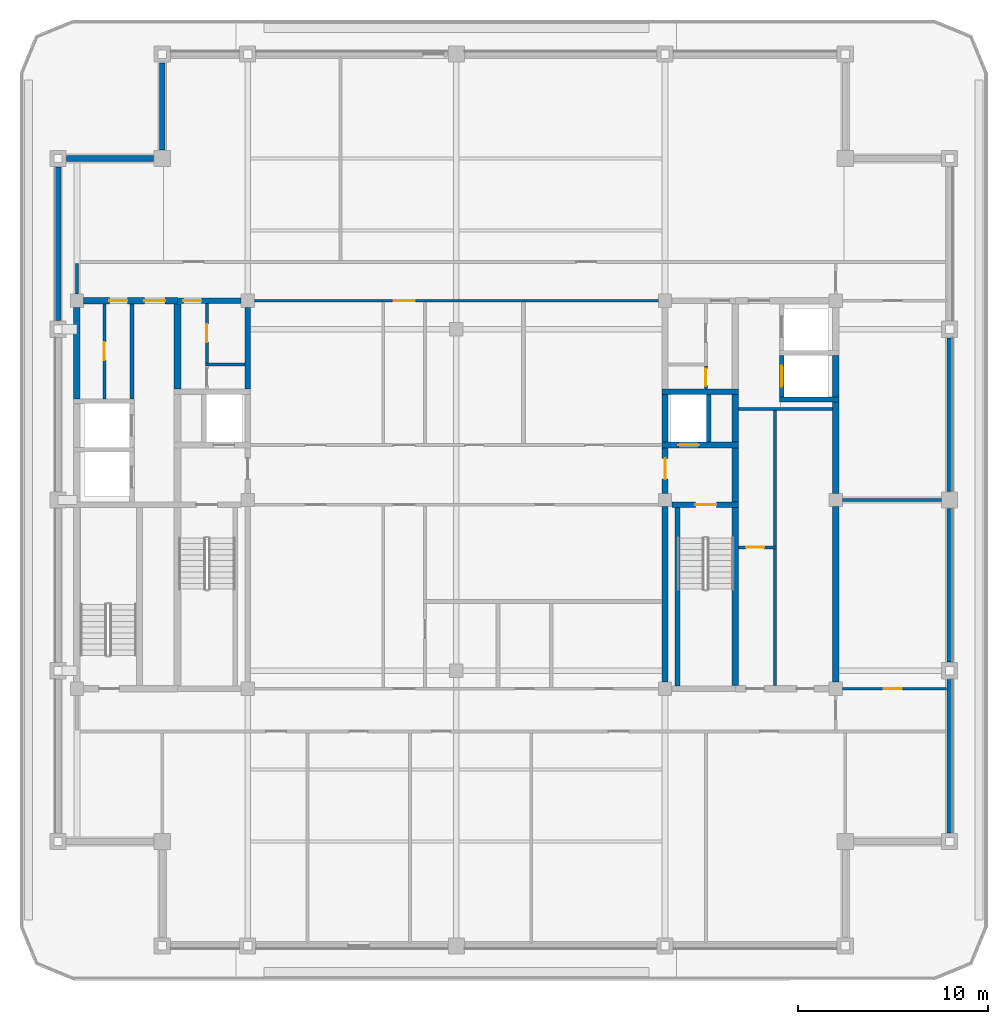
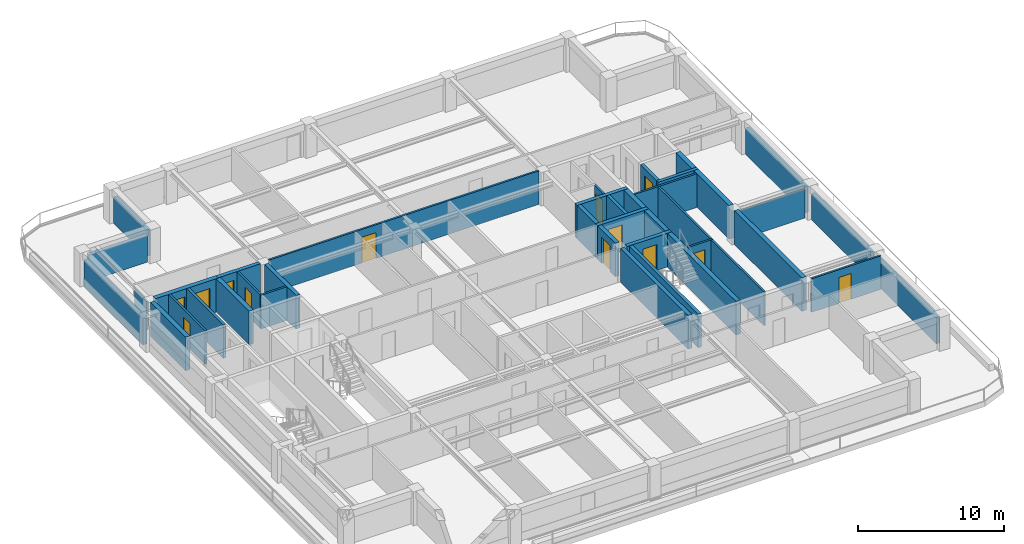
# One storey, part 4 of 10: 40 walls, 13 doors, 13 openings.
"""IFC4 building model written with IfcOpenShell, lengths in metres."""

from ifc_helpers import new_model, si_unit, direction, frame, frame_2d, origin, place, context, subcontext, project, spatial, rectangle, extrude, material, layer, layer_set, type_object, element, fill, save


model = new_model("IFC4")

# Units and contexts
model_context = context("Model", 3, precision=1e-05, world=origin(), true_north=direction((0.0, 1.0)))
body_context = subcontext(model_context, "Body", "Model", "MODEL_VIEW")
ifc_project = project(units=[si_unit("LENGTHUNIT", "METRE"), si_unit("AREAUNIT", "SQUARE_METRE"), si_unit("VOLUMEUNIT", "CUBIC_METRE"), si_unit("PLANEANGLEUNIT", "RADIAN"), si_unit("MASSUNIT", "GRAM", prefix="KILO")], contexts=[model_context])

# Site, building, storey
site_placement = place(None, origin())
site = spatial("IfcSite", under=ifc_project, at=site_placement, CompositionType="ELEMENT")
building_placement = place(site_placement, origin())
building = spatial("IfcBuilding", under=site, at=building_placement, Name="Zulmaris Gate Convention Tower", CompositionType="ELEMENT")
storey_placement = place(building_placement, frame((0.0, 0.0, 246.199951171875)))
storey = spatial("IfcBuildingStorey", under=building, at=storey_placement, Name="L65", CompositionType="ELEMENT", Elevation=246.199951171875)

# Walls
ifc_material_1 = material(Name="Concrete C50/60", Category="concrete")
ifc_layer_1 = layer(ifc_material_1, 0.25, Name="Concrete C50/60")
ifc_layer_set_1 = layer_set([ifc_layer_1], Name="Concrete C50/60")
wall_type_1 = type_object("IfcWallType", Name="CORE-250", PredefinedType="SOLIDWALL", material=ifc_layer_set_1)
wall_1_placement = place(storey_placement, frame((17.02490234375, 5.300048828125, 0.0), z_axis=(0.0, 0.0, 1.0), x_axis=(1.0, 0.0, 0.0)))
element("IfcWall", 1, at=wall_1_placement, inside=storey, type_object=wall_type_1, Name="WL-L65-011", PredefinedType="SOLIDWALL", context=body_context, shape_type="SweptSolid", body=[
    extrude(rectangle(XDim=3.150146484375, YDim=0.25, at=frame_2d((1.5751953125, 0.0))), origin(), (0.0, 0.0, 1.0), 2.804931640625),
])
wall_2_placement = place(storey_placement, frame((11.64990234375, -9.798095703125, 0.0), z_axis=(0.0, 0.0, 1.0), x_axis=(0.0, 1.0, 0.0)))
element("IfcWall", 2, at=wall_2_placement, inside=storey, type_object=wall_type_1, Name="WL-L65-054", PredefinedType="SOLIDWALL", context=body_context, shape_type="SweptSolid", body=[
    extrude(rectangle(XDim=9.39599609375, YDim=0.25, at=frame_2d((4.697998046875, 0.0))), origin(), (0.0, 0.0, 1.0), 2.804931640625),
])
wall_3_placement = place(storey_placement, frame((13.300048828125, 3.052001953125, 0.0), z_axis=(0.0, 0.0, 1.0), x_axis=(0.0, 1.0, 0.0)))
element("IfcWall", 3, at=wall_3_placement, inside=storey, type_object=wall_type_1, Name="WL-L65-055", PredefinedType="SOLIDWALL", context=body_context, shape_type="SweptSolid", body=[
    extrude(rectangle(XDim=2.49609375, YDim=0.25, at=frame_2d((1.248046875, 0.0))), origin(), (0.0, 0.0, 1.0), 2.804931640625),
])

# Wall, opening, door
wall_4_placement = place(storey_placement, frame((17.14990234375, 5.427001953125, 0.0), z_axis=(0.0, 0.0, 1.0), x_axis=(0.0, 1.0, 0.0)))
wall_4 = element("IfcWall", 4, at=wall_4_placement, inside=storey, type_object=wall_type_1, Name="WL-L65-060", PredefinedType="SOLIDWALL", context=body_context, shape_type="SweptSolid", body=[
    extrude(rectangle(XDim=2.196044921875, YDim=0.25, at=frame_2d((1.09814453125, 0.0))), origin(), (0.0, 0.0, 1.0), 2.804931640625),
])
opening_1_placement = place(wall_4_placement, frame((0.548095703125, 0.0, 0.0)))
opening_1 = element("IfcOpeningElement", 5, at=opening_1_placement, cuts=wall_4, Name="Opening D-06", PredefinedType="OPENING", context=body_context, shape_type="SweptSolid", body=[
    extrude(rectangle(XDim=1.10009765625, YDim=2.199951171875, at=frame_2d((0.550048828125, 1.10009765625))), frame((0.0, 0.135009765625, 0.0), z_axis=(0.0, -1.0, 0.0), x_axis=(1.0, 0.0, 0.0)), (0.0, 0.0, 1.0), 0.27001953125),
])
ifc_material_2 = material(Name="Brushed Stainless Steel", Category="steel")
door_type_1 = type_object("IfcDoorType", Name="LD-1100", OperationType="NOTDEFINED", PredefinedType="DOOR", material=ifc_material_2)
door_1_placement = place(opening_1_placement, origin())
door_1 = element("IfcDoor", 6, at=door_1_placement, inside=storey, type_object=door_type_1, Name="L65 Lift Landing Door HP-01 19", OperationType="SLIDING_TO_RIGHT", OverallHeight=2.199951171875, OverallWidth=1.10009765625, PredefinedType="DOOR", context=body_context, shape_type="SweptSolid", body=[
    extrude(rectangle(XDim=1.10009765625, YDim=2.199951171875, at=frame_2d((0.550048828125, 1.10009765625))), frame((0.0, 0.02490234375, 0.0), z_axis=(0.0, -1.0, 0.0), x_axis=(1.0, 0.0, 0.0)), (0.0, 0.0, 1.0), 0.050048828125),
])
fill(opening_1, door_1)

ifc_layer_2 = layer(ifc_material_1, 0.300048828125, Name="Concrete C50/60")
ifc_layer_set_2 = layer_set([ifc_layer_2], Name="Concrete C50/60")
wall_type_2 = type_object("IfcWallType", Name="CORE-300", PredefinedType="SHEAR", material=ifc_layer_set_2)
wall_5_placement = place(storey_placement, frame((11.35400390625, -0.25, 0.0), z_axis=(0.0, 0.0, 1.0), x_axis=(1.0, 0.0, 0.0)))
wall_5 = element("IfcWall", 7, at=wall_5_placement, inside=storey, type_object=wall_type_2, Name="WL-L65-006", PredefinedType="SHEAR", context=body_context, shape_type="SweptSolid", body=[
    extrude(rectangle(XDim=3.52099609375, YDim=0.300048828125, at=frame_2d((1.760498046875, 0.0))), origin(), (0.0, 0.0, 1.0), 2.804931640625),
])
opening_2_placement = place(wall_5_placement, frame((1.24609375, 0.0, 0.0)))
opening_2 = element("IfcOpeningElement", 8, at=opening_2_placement, cuts=wall_5, Name="Opening D-08", PredefinedType="OPENING", context=body_context, shape_type="SweptSolid", body=[
    extrude(rectangle(XDim=1.10009765625, YDim=2.14990234375, at=frame_2d((0.550048828125, 1.074951171875))), frame((0.0, 0.16015625, 0.0), z_axis=(0.0, -1.0, 0.0), x_axis=(1.0, 0.0, 0.0)), (0.0, 0.0, 1.0), 0.320068359375),
])
ifc_material_3 = material(Name="Fire-Rated Steel", Category="steel")
door_type_2 = type_object("IfcDoorType", Name="DR-1100-FD", OperationType="NOTDEFINED", PredefinedType="DOOR", material=ifc_material_3)
door_2_placement = place(opening_2_placement, origin())
door_2 = element("IfcDoor", 9, at=door_2_placement, inside=storey, type_object=door_type_2, Name="L65 Exit Stair ST-2 Door 04", OperationType="SINGLE_SWING_RIGHT", OverallHeight=2.14990234375, OverallWidth=1.10009765625, PredefinedType="DOOR", context=body_context, shape_type="SweptSolid", body=[
    extrude(rectangle(XDim=1.10009765625, YDim=2.14990234375, at=frame_2d((0.550048828125, 1.074951171875))), frame((0.0, 0.02490234375, 0.0), z_axis=(0.0, -1.0, 0.0), x_axis=(1.0, 0.0, 0.0)), (0.0, 0.0, 1.0), 0.050048828125),
])
fill(opening_2, door_2)

wall_6_placement = place(storey_placement, frame((10.85009765625, 2.89990234375, 0.0), z_axis=(0.0, 0.0, 1.0), x_axis=(1.0, 0.0, 0.0)))
wall_6 = element("IfcWall", 10, at=wall_6_placement, inside=storey, type_object=wall_type_2, Name="WL-L65-009", PredefinedType="SHEAR", context=body_context, shape_type="SweptSolid", body=[
    extrude(rectangle(XDim=4.02490234375, YDim=0.300048828125, at=frame_2d((2.012451171875, 0.0))), origin(), (0.0, 0.0, 1.0), 2.804931640625),
])
opening_3_placement = place(wall_6_placement, frame((0.85009765625, 0.0, 0.0)))
opening_3 = element("IfcOpeningElement", 11, at=opening_3_placement, cuts=wall_6, Name="Opening D-06", PredefinedType="OPENING", context=body_context, shape_type="SweptSolid", body=[
    extrude(rectangle(XDim=1.10009765625, YDim=2.199951171875, at=frame_2d((0.550048828125, 1.10009765625))), frame((0.0, 0.16015625, 0.0), z_axis=(0.0, -1.0, 0.0), x_axis=(1.0, 0.0, 0.0)), (0.0, 0.0, 1.0), 0.320068359375),
])
door_3_placement = place(opening_3_placement, origin())
door_3 = element("IfcDoor", 12, at=door_3_placement, inside=storey, type_object=door_type_1, Name="L65 Lift Landing Door LF-02 06", OperationType="SLIDING_TO_RIGHT", OverallHeight=2.199951171875, OverallWidth=1.10009765625, PredefinedType="DOOR", context=body_context, shape_type="SweptSolid", body=[
    extrude(rectangle(XDim=1.10009765625, YDim=2.199951171875, at=frame_2d((0.550048828125, 1.10009765625))), frame((0.0, 0.02490234375, 0.0), z_axis=(0.0, -1.0, 0.0), x_axis=(1.0, 0.0, 0.0)), (0.0, 0.0, 1.0), 0.050048828125),
])
fill(opening_3, door_3)

# Wall
wall_7_placement = place(storey_placement, frame((10.85009765625, 5.699951171875, 0.0), z_axis=(0.0, 0.0, 1.0), x_axis=(1.0, 0.0, 0.0)))
element("IfcWall", 13, at=wall_7_placement, inside=storey, type_object=wall_type_2, Name="WL-L65-013", PredefinedType="SHEAR", context=body_context, shape_type="SweptSolid", body=[
    extrude(rectangle(XDim=4.02490234375, YDim=0.300048828125, at=frame_2d((2.012451171875, 0.0))), origin(), (0.0, 0.0, 1.0), 2.804931640625),
])

# Wall, opening, door
wall_8_placement = place(storey_placement, frame((-14.699951171875, 10.5, 0.0), z_axis=(0.0, 0.0, 1.0), x_axis=(1.0, 0.0, 0.0)))
wall_8 = element("IfcWall", 14, at=wall_8_placement, inside=storey, type_object=wall_type_2, Name="WL-L65-016", PredefinedType="SHEAR", context=body_context, shape_type="SweptSolid", body=[
    extrude(rectangle(XDim=3.345947265625, YDim=0.300048828125, at=frame_2d((1.6728515625, 0.0))), origin(), (0.0, 0.0, 1.0), 2.804931640625),
])
opening_4_placement = place(wall_8_placement, frame((0.304931640625, 0.0, 0.0)))
opening_4 = element("IfcOpeningElement", 15, at=opening_4_placement, cuts=wall_8, Name="Opening D-11", PredefinedType="OPENING", context=body_context, shape_type="SweptSolid", body=[
    extrude(rectangle(XDim=0.949951171875, YDim=2.14990234375, at=frame_2d((0.47509765625, 1.074951171875))), frame((0.0, 0.16015625, 0.0), z_axis=(0.0, -1.0, 0.0), x_axis=(1.0, 0.0, 0.0)), (0.0, 0.0, 1.0), 0.320068359375),
])
ifc_material_4 = material(Name="Fire-Rated Timber", Category="wood")
door_type_3 = type_object("IfcDoorType", Name="DR-950-FD", OperationType="NOTDEFINED", PredefinedType="DOOR", material=ifc_material_4)
door_4_placement = place(opening_4_placement, origin())
door_4 = element("IfcDoor", 16, at=door_4_placement, inside=storey, type_object=door_type_3, Name="L65 Core West Passage Door 07", OperationType="SINGLE_SWING_RIGHT", OverallHeight=2.14990234375, OverallWidth=0.949951171875, PredefinedType="DOOR", context=body_context, shape_type="SweptSolid", body=[
    extrude(rectangle(XDim=0.949951171875, YDim=2.14990234375, at=frame_2d((0.47509765625, 1.074951171875))), frame((0.0, 0.02490234375, 0.0), z_axis=(0.0, -1.0, 0.0), x_axis=(1.0, 0.0, 0.0)), (0.0, 0.0, 1.0), 0.050048828125),
])
fill(opening_4, door_4)

# Walls
wall_9_placement = place(storey_placement, frame((-11.0, 5.85205078125, 0.0), z_axis=(0.0, 0.0, 1.0), x_axis=(0.0, 1.0, 0.0)))
element("IfcWall", 17, at=wall_9_placement, inside=storey, type_object=wall_type_2, Name="WL-L65-049", PredefinedType="SHEAR", context=body_context, shape_type="SweptSolid", body=[
    extrude(rectangle(XDim=4.2939453125, YDim=0.300048828125, at=frame_2d((2.14697265625, 0.0))), origin(), (0.0, 0.0, 1.0), 2.804931640625),
])
wall_10_placement = place(storey_placement, frame((11.0, -9.595947265625, 0.0), z_axis=(0.0, 0.0, 1.0), x_axis=(0.0, 1.0, 0.0)))
element("IfcWall", 18, at=wall_10_placement, inside=storey, type_object=wall_type_2, Name="WL-L65-050", PredefinedType="SHEAR", context=body_context, shape_type="SweptSolid", body=[
    extrude(rectangle(XDim=9.241943359375, YDim=0.300048828125, at=frame_2d((4.62109375, 0.0))), origin(), (0.0, 0.0, 1.0), 2.804931640625),
])

# Wall, opening, door
wall_11_placement = place(storey_placement, frame((11.0, 0.35400390625, 0.0), z_axis=(0.0, 0.0, 1.0), x_axis=(0.0, 1.0, 0.0)))
wall_11 = element("IfcWall", 19, at=wall_11_placement, inside=storey, type_object=wall_type_2, Name="WL-L65-051", PredefinedType="SHEAR", context=body_context, shape_type="SweptSolid", body=[
    extrude(rectangle(XDim=2.39404296875, YDim=0.300048828125, at=frame_2d((1.197021484375, 0.0))), origin(), (0.0, 0.0, 1.0), 2.804931640625),
])
opening_5_placement = place(wall_11_placement, frame((0.74609375, 0.0, 0.0)))
opening_5 = element("IfcOpeningElement", 20, at=opening_5_placement, cuts=wall_11, Name="Opening D-08", PredefinedType="OPENING", context=body_context, shape_type="SweptSolid", body=[
    extrude(rectangle(XDim=1.10009765625, YDim=2.14990234375, at=frame_2d((0.550048828125, 1.074951171875))), frame((0.0, 0.16015625, 0.0), z_axis=(0.0, -1.0, 0.0), x_axis=(1.0, 0.0, 0.0)), (0.0, 0.0, 1.0), 0.320068359375),
])
door_5_placement = place(opening_5_placement, origin())
door_5 = element("IfcDoor", 21, at=door_5_placement, inside=storey, type_object=door_type_2, Name="L65 East Firefighting Lobby Door 05", OperationType="SINGLE_SWING_LEFT", OverallHeight=2.14990234375, OverallWidth=1.10009765625, PredefinedType="DOOR", context=body_context, shape_type="SweptSolid", body=[
    extrude(rectangle(XDim=1.10009765625, YDim=2.14990234375, at=frame_2d((0.550048828125, 1.074951171875))), frame((0.0, 0.02490234375, 0.0), z_axis=(0.0, -1.0, 0.0), x_axis=(1.0, 0.0, 0.0)), (0.0, 0.0, 1.0), 0.050048828125),
])
fill(opening_5, door_5)

# Wall
wall_12_placement = place(storey_placement, frame((11.0, 3.052001953125, 0.0), z_axis=(0.0, 0.0, 1.0), x_axis=(0.0, 1.0, 0.0)))
element("IfcWall", 22, at=wall_12_placement, inside=storey, type_object=wall_type_2, Name="WL-L65-052", PredefinedType="SHEAR", context=body_context, shape_type="SweptSolid", body=[
    extrude(rectangle(XDim=2.49609375, YDim=0.300048828125, at=frame_2d((1.248046875, 0.0))), origin(), (0.0, 0.0, 1.0), 2.804931640625),
])

# Wall, openings, doors
ifc_material_5 = material(Name="Concrete C55/67", Category="concrete")
ifc_layer_3 = layer(ifc_material_5, 0.35009765625, Name="Concrete C55/67")
ifc_layer_set_3 = layer_set([ifc_layer_3], Name="Concrete C55/67")
wall_type_3 = type_object("IfcWallType", Name="CORE-350", PredefinedType="SHEAR", material=ifc_layer_set_3)
wall_13_placement = place(storey_placement, frame((-19.64599609375, 10.5, 0.0), z_axis=(0.0, 0.0, 1.0), x_axis=(1.0, 0.0, 0.0)))
wall_13 = element("IfcWall", 23, at=wall_13_placement, inside=storey, type_object=wall_type_3, Name="WL-L65-015", PredefinedType="SHEAR", context=body_context, shape_type="SweptSolid", body=[
    extrude(rectangle(XDim=4.946044921875, YDim=0.35009765625, at=frame_2d((2.47314453125, 0.0))), origin(), (0.0, 0.0, 1.0), 2.804931640625),
])
opening_6_placement = place(wall_13_placement, frame((3.196044921875, 0.0, 0.0)))
opening_6 = element("IfcOpeningElement", 24, at=opening_6_placement, cuts=wall_13, Name="Opening D-08", PredefinedType="OPENING", context=body_context, shape_type="SweptSolid", body=[
    extrude(rectangle(XDim=1.10009765625, YDim=2.14990234375, at=frame_2d((0.550048828125, 1.074951171875))), frame((0.0, 0.18505859375, 0.0), z_axis=(0.0, -1.0, 0.0), x_axis=(1.0, 0.0, 0.0)), (0.0, 0.0, 1.0), 0.3701171875),
])
opening_7_placement = place(wall_13_placement, frame((1.35107421875, 0.0, 0.0)))
opening_7 = element("IfcOpeningElement", 25, at=opening_7_placement, cuts=wall_13, Name="Opening D-11", PredefinedType="OPENING", context=body_context, shape_type="SweptSolid", body=[
    extrude(rectangle(XDim=0.949951171875, YDim=2.14990234375, at=frame_2d((0.47509765625, 1.074951171875))), frame((0.0, 0.18505859375, 0.0), z_axis=(0.0, -1.0, 0.0), x_axis=(1.0, 0.0, 0.0)), (0.0, 0.0, 1.0), 0.3701171875),
])
door_6_placement = place(opening_6_placement, origin())
door_6 = element("IfcDoor", 26, at=door_6_placement, inside=storey, type_object=door_type_2, Name="L65 High-Rise West Lift Lobby Door 16", OperationType="SINGLE_SWING_LEFT", OverallHeight=2.14990234375, OverallWidth=1.10009765625, PredefinedType="DOOR", context=body_context, shape_type="SweptSolid", body=[
    extrude(rectangle(XDim=1.10009765625, YDim=2.14990234375, at=frame_2d((0.550048828125, 1.074951171875))), frame((0.0, 0.02490234375, 0.0), z_axis=(0.0, -1.0, 0.0), x_axis=(1.0, 0.0, 0.0)), (0.0, 0.0, 1.0), 0.050048828125),
])
fill(opening_6, door_6)
door_7_placement = place(opening_7_placement, origin())
door_7 = element("IfcDoor", 27, at=door_7_placement, inside=storey, type_object=door_type_3, Name="L65 Tray Closet Door 17", OperationType="SINGLE_SWING_RIGHT", OverallHeight=2.14990234375, OverallWidth=0.949951171875, PredefinedType="DOOR", context=body_context, shape_type="SweptSolid", body=[
    extrude(rectangle(XDim=0.949951171875, YDim=2.14990234375, at=frame_2d((0.47509765625, 1.074951171875))), frame((0.0, 0.02490234375, 0.0), z_axis=(0.0, -1.0, 0.0), x_axis=(1.0, 0.0, 0.0)), (0.0, 0.0, 1.0), 0.050048828125),
])
fill(opening_7, door_7)

# Walls
wall_14_placement = place(storey_placement, frame((-20.0, 5.326904296875, 0.0), z_axis=(0.0, 0.0, 1.0), x_axis=(0.0, 1.0, 0.0)))
element("IfcWall", 28, at=wall_14_placement, inside=storey, type_object=wall_type_3, Name="WL-L65-036", PredefinedType="SHEAR", context=body_context, shape_type="SweptSolid", body=[
    extrude(rectangle(XDim=4.819091796875, YDim=0.35009765625, at=frame_2d((2.40966796875, 0.0))), origin(), (0.0, 0.0, 1.0), 2.804931640625),
])
wall_15_placement = place(storey_placement, frame((-14.699951171875, 5.85205078125, 0.0), z_axis=(0.0, 0.0, 1.0), x_axis=(0.0, 1.0, 0.0)))
element("IfcWall", 29, at=wall_15_placement, inside=storey, type_object=wall_type_3, Name="WL-L65-043", PredefinedType="SHEAR", context=body_context, shape_type="SweptSolid", body=[
    extrude(rectangle(XDim=4.470947265625, YDim=0.35009765625, at=frame_2d((2.2353515625, 0.0))), origin(), (0.0, 0.0, 1.0), 2.804931640625),
])
wall_16_placement = place(storey_placement, frame((14.699951171875, -9.77294921875, 0.0), z_axis=(0.0, 0.0, 1.0), x_axis=(0.0, 1.0, 0.0)))
element("IfcWall", 30, at=wall_16_placement, inside=storey, type_object=wall_type_3, Name="WL-L65-056", PredefinedType="SHEAR", context=body_context, shape_type="SweptSolid", body=[
    extrude(rectangle(XDim=9.370849609375, YDim=0.35009765625, at=frame_2d((4.685546875, 0.0))), origin(), (0.0, 0.0, 1.0), 2.804931640625),
])
wall_17_placement = place(storey_placement, frame((14.699951171875, -0.097900390625, 0.0), z_axis=(0.0, 0.0, 1.0), x_axis=(0.0, 1.0, 0.0)))
element("IfcWall", 31, at=wall_17_placement, inside=storey, type_object=wall_type_3, Name="WL-L65-057", PredefinedType="SHEAR", context=body_context, shape_type="SweptSolid", body=[
    extrude(rectangle(XDim=2.845947265625, YDim=0.35009765625, at=frame_2d((1.4228515625, 0.0))), origin(), (0.0, 0.0, 1.0), 2.804931640625),
])
wall_18_placement = place(storey_placement, frame((14.699951171875, 3.052001953125, 0.0), z_axis=(0.0, 0.0, 1.0), x_axis=(0.0, 1.0, 0.0)))
element("IfcWall", 32, at=wall_18_placement, inside=storey, type_object=wall_type_3, Name="WL-L65-058", PredefinedType="SHEAR", context=body_context, shape_type="SweptSolid", body=[
    extrude(rectangle(XDim=2.49609375, YDim=0.35009765625, at=frame_2d((1.248046875, 0.0))), origin(), (0.0, 0.0, 1.0), 2.804931640625),
])
wall_19_placement = place(storey_placement, frame((20.0, -9.595947265625, 0.0), z_axis=(0.0, 0.0, 1.0), x_axis=(0.0, 1.0, 0.0)))
element("IfcWall", 33, at=wall_19_placement, inside=storey, type_object=wall_type_3, Name="WL-L65-062", PredefinedType="SHEAR", context=body_context, shape_type="SweptSolid", body=[
    extrude(rectangle(XDim=9.241943359375, YDim=0.35009765625, at=frame_2d((4.62109375, 0.0))), origin(), (0.0, 0.0, 1.0), 2.804931640625),
])
wall_20_placement = place(storey_placement, frame((20.0, 0.35400390625, 0.0), z_axis=(0.0, 0.0, 1.0), x_axis=(0.0, 1.0, 0.0)))
element("IfcWall", 34, at=wall_20_placement, inside=storey, type_object=wall_type_3, Name="WL-L65-062S1", PredefinedType="SHEAR", context=body_context, shape_type="SweptSolid", body=[
    extrude(rectangle(XDim=4.819091796875, YDim=0.35009765625, at=frame_2d((2.40966796875, 0.0))), origin(), (0.0, 0.0, 1.0), 2.804931640625),
])
wall_21_placement = place(storey_placement, frame((20.0, 5.427001953125, 0.0), z_axis=(0.0, 0.0, 1.0), x_axis=(0.0, 1.0, 0.0)))
element("IfcWall", 35, at=wall_21_placement, inside=storey, type_object=wall_type_3, Name="WL-L65-063", PredefinedType="SHEAR", context=body_context, shape_type="SweptSolid", body=[
    extrude(rectangle(XDim=2.196044921875, YDim=0.35009765625, at=frame_2d((1.09814453125, 0.0))), origin(), (0.0, 0.0, 1.0), 2.804931640625),
])

# Wall, opening, door
ifc_material_6 = material(Name="Gypsum Metal Stud Partition")
ifc_layer_4 = layer(ifc_material_6, 0.14990234375, Name="Gypsum Metal Stud Partition")
ifc_layer_set_4 = layer_set([ifc_layer_4], Name="Gypsum Metal Stud Partition")
wall_type_4 = type_object("IfcWallType", Name="PART-150", PredefinedType="PARTITIONING", material=ifc_layer_set_4)
wall_22_placement = place(storey_placement, frame((20.35595703125, -9.949951171875, 0.0), z_axis=(0.0, 0.0, 1.0), x_axis=(1.0, 0.0, 0.0)))
wall_22 = element("IfcWall", 36, at=wall_22_placement, inside=storey, type_object=wall_type_4, Name="WL-L65-021", PredefinedType="PARTITIONING", context=body_context, shape_type="SweptSolid", body=[
    extrude(rectangle(XDim=5.47900390625, YDim=0.14990234375, at=frame_2d((2.739501953125, 0.0))), origin(), (0.0, 0.0, 1.0), 2.804931640625),
])
opening_8_placement = place(wall_22_placement, frame((2.1689453125, 0.0, 0.0)))
opening_8 = element("IfcOpeningElement", 37, at=opening_8_placement, cuts=wall_22, Name="Opening D-11", PredefinedType="OPENING", context=body_context, shape_type="SweptSolid", body=[
    extrude(rectangle(XDim=0.949951171875, YDim=2.14990234375, at=frame_2d((0.47509765625, 1.074951171875))), frame((0.0, 0.0849609375, 0.0), z_axis=(0.0, -1.0, 0.0), x_axis=(1.0, 0.0, 0.0)), (0.0, 0.0, 1.0), 0.169921875),
])
door_8_placement = place(opening_8_placement, origin())
door_8 = element("IfcDoor", 38, at=door_8_placement, inside=storey, type_object=door_type_3, Name="L65 SE Partner Door 47", OperationType="SINGLE_SWING_RIGHT", OverallHeight=2.14990234375, OverallWidth=0.949951171875, PredefinedType="DOOR", context=body_context, shape_type="SweptSolid", body=[
    extrude(rectangle(XDim=0.949951171875, YDim=2.14990234375, at=frame_2d((0.47509765625, 1.074951171875))), frame((0.0, 0.02490234375, 0.0), z_axis=(0.0, -1.0, 0.0), x_axis=(1.0, 0.0, 0.0)), (0.0, 0.0, 1.0), 0.050048828125),
])
fill(opening_8, door_8)

wall_23_placement = place(storey_placement, frame((14.8779296875, -2.5, 0.0), z_axis=(0.0, 0.0, 1.0), x_axis=(1.0, 0.0, 0.0)))
wall_23 = element("IfcWall", 39, at=wall_23_placement, inside=storey, type_object=wall_type_4, Name="WL-L65-023", PredefinedType="PARTITIONING", context=body_context, shape_type="SweptSolid", body=[
    extrude(rectangle(XDim=1.9970703125, YDim=0.14990234375, at=frame_2d((0.99853515625, 0.0))), origin(), (0.0, 0.0, 1.0), 2.804931640625),
])
opening_9_placement = place(wall_23_placement, frame((0.39697265625, 0.0, 0.0)))
opening_9 = element("IfcOpeningElement", 40, at=opening_9_placement, cuts=wall_23, Name="Opening D-11", PredefinedType="OPENING", context=body_context, shape_type="SweptSolid", body=[
    extrude(rectangle(XDim=0.949951171875, YDim=2.14990234375, at=frame_2d((0.47509765625, 1.074951171875))), frame((0.0, 0.0849609375, 0.0), z_axis=(0.0, -1.0, 0.0), x_axis=(1.0, 0.0, 0.0)), (0.0, 0.0, 1.0), 0.169921875),
])
door_9_placement = place(opening_9_placement, origin())
door_9 = element("IfcDoor", 41, at=door_9_placement, inside=storey, type_object=door_type_3, Name="L65 Supply Closet Door 24", OperationType="SINGLE_SWING_LEFT", OverallHeight=2.14990234375, OverallWidth=0.949951171875, PredefinedType="DOOR", context=body_context, shape_type="SweptSolid", body=[
    extrude(rectangle(XDim=0.949951171875, YDim=2.14990234375, at=frame_2d((0.47509765625, 1.074951171875))), frame((0.0, 0.02490234375, 0.0), z_axis=(0.0, -1.0, 0.0), x_axis=(1.0, 0.0, 0.0)), (0.0, 0.0, 1.0), 0.050048828125),
])
fill(opening_9, door_9)

# Walls
wall_24_placement = place(storey_placement, frame((20.35595703125, 0.0, 0.0), z_axis=(0.0, 0.0, 1.0), x_axis=(1.0, 0.0, 0.0)))
element("IfcWall", 42, at=wall_24_placement, inside=storey, type_object=wall_type_4, Name="WL-L65-025", PredefinedType="PARTITIONING", context=body_context, shape_type="SweptSolid", body=[
    extrude(rectangle(XDim=5.213134765625, YDim=0.14990234375, at=frame_2d((2.6064453125, 0.0))), origin(), (0.0, 0.0, 1.0), 2.39501953125),
])
wall_25_placement = place(storey_placement, frame((14.8779296875, 4.800048828125, 0.0), z_axis=(0.0, 0.0, 1.0), x_axis=(1.0, 0.0, 0.0)))
element("IfcWall", 43, at=wall_25_placement, inside=storey, type_object=wall_type_4, Name="WL-L65-027", PredefinedType="PARTITIONING", context=body_context, shape_type="SweptSolid", body=[
    extrude(rectangle(XDim=4.944091796875, YDim=0.14990234375, at=frame_2d((2.47216796875, 0.0))), origin(), (0.0, 0.0, 1.0), 2.804931640625),
])
wall_26_placement = place(storey_placement, frame((-13.22509765625, 7.14990234375, 0.0), z_axis=(0.0, 0.0, 1.0), x_axis=(1.0, 0.0, 0.0)))
element("IfcWall", 44, at=wall_26_placement, inside=storey, type_object=wall_type_4, Name="WL-L65-028", PredefinedType="PARTITIONING", context=body_context, shape_type="SweptSolid", body=[
    extrude(rectangle(XDim=2.072021484375, YDim=0.14990234375, at=frame_2d((1.0361328125, 0.0))), origin(), (0.0, 0.0, 1.0), 2.804931640625),
])

# Wall, opening, door
wall_27_placement = place(storey_placement, frame((-10.64404296875, 10.5, 0.0), z_axis=(0.0, 0.0, 1.0), x_axis=(1.0, 0.0, 0.0)))
wall_27 = element("IfcWall", 45, at=wall_27_placement, inside=storey, type_object=wall_type_4, Name="WL-L65-030", PredefinedType="PARTITIONING", context=body_context, shape_type="SweptSolid", body=[
    extrude(rectangle(XDim=21.2880859375, YDim=0.14990234375, at=frame_2d((10.64404296875, 0.0))), origin(), (0.0, 0.0, 1.0), 2.804931640625),
])
opening_10_placement = place(wall_27_placement, frame((7.343994140625, 0.0, 0.0)))
opening_10 = element("IfcOpeningElement", 46, at=opening_10_placement, cuts=wall_27, Name="Opening D-08", PredefinedType="OPENING", context=body_context, shape_type="SweptSolid", body=[
    extrude(rectangle(XDim=1.10009765625, YDim=2.14990234375, at=frame_2d((0.550048828125, 1.074951171875))), frame((0.0, 0.0849609375, 0.0), z_axis=(0.0, -1.0, 0.0), x_axis=(1.0, 0.0, 0.0)), (0.0, 0.0, 1.0), 0.169921875),
])
door_10_placement = place(opening_10_placement, origin())
door_10 = element("IfcDoor", 47, at=door_10_placement, inside=storey, type_object=door_type_2, Name="L65 Exec North Link Door 25", OperationType="SINGLE_SWING_RIGHT", OverallHeight=2.14990234375, OverallWidth=1.10009765625, PredefinedType="DOOR", context=body_context, shape_type="SweptSolid", body=[
    extrude(rectangle(XDim=1.10009765625, YDim=2.14990234375, at=frame_2d((0.550048828125, 1.074951171875))), frame((0.0, 0.02490234375, 0.0), z_axis=(0.0, -1.0, 0.0), x_axis=(1.0, 0.0, 0.0)), (0.0, 0.0, 1.0), 0.050048828125),
])
fill(opening_10, door_10)

# Wall
wall_28_placement = place(storey_placement, frame((-20.0, 10.85595703125, 0.0), z_axis=(0.0, 0.0, 1.0), x_axis=(0.0, 1.0, 0.0)))
element("IfcWall", 48, at=wall_28_placement, inside=storey, type_object=wall_type_4, Name="WL-L65-066", PredefinedType="PARTITIONING", context=body_context, shape_type="SweptSolid", body=[
    extrude(rectangle(XDim=1.615966796875, YDim=0.14990234375, at=frame_2d((0.80810546875, 0.0))), origin(), (0.0, 0.0, 1.0), 2.39501953125),
])

# Wall, opening, door
wall_29_placement = place(storey_placement, frame((-18.550048828125, 5.327880859375, 0.0), z_axis=(0.0, 0.0, 1.0), x_axis=(0.0, 1.0, 0.0)))
wall_29 = element("IfcWall", 49, at=wall_29_placement, inside=storey, type_object=wall_type_4, Name="WL-L65-067", PredefinedType="PARTITIONING", context=body_context, shape_type="SweptSolid", body=[
    extrude(rectangle(XDim=4.994140625, YDim=0.14990234375, at=frame_2d((2.4970703125, 0.0))), origin(), (0.0, 0.0, 1.0), 2.804931640625),
])
opening_11_placement = place(wall_29_placement, frame((2.047119140625, 0.0, 0.0)))
opening_11 = element("IfcOpeningElement", 50, at=opening_11_placement, cuts=wall_29, Name="Opening D-11", PredefinedType="OPENING", context=body_context, shape_type="SweptSolid", body=[
    extrude(rectangle(XDim=0.949951171875, YDim=2.14990234375, at=frame_2d((0.47509765625, 1.074951171875))), frame((0.0, 0.0849609375, 0.0), z_axis=(0.0, -1.0, 0.0), x_axis=(1.0, 0.0, 0.0)), (0.0, 0.0, 1.0), 0.169921875),
])
door_11_placement = place(opening_11_placement, origin())
door_11 = element("IfcDoor", 51, at=door_11_placement, inside=storey, type_object=door_type_3, Name="L65 Housekeeping Door 18", OperationType="SINGLE_SWING_LEFT", OverallHeight=2.14990234375, OverallWidth=0.949951171875, PredefinedType="DOOR", context=body_context, shape_type="SweptSolid", body=[
    extrude(rectangle(XDim=0.949951171875, YDim=2.14990234375, at=frame_2d((0.47509765625, 1.074951171875))), frame((0.0, 0.02490234375, 0.0), z_axis=(0.0, -1.0, 0.0), x_axis=(1.0, 0.0, 0.0)), (0.0, 0.0, 1.0), 0.050048828125),
])
fill(opening_11, door_11)

wall_30_placement = place(storey_placement, frame((-13.14990234375, 7.22802734375, 0.0), z_axis=(0.0, 0.0, 1.0), x_axis=(0.0, 1.0, 0.0)))
wall_30 = element("IfcWall", 52, at=wall_30_placement, inside=storey, type_object=wall_type_4, Name="WL-L65-071", PredefinedType="PARTITIONING", context=body_context, shape_type="SweptSolid", body=[
    extrude(rectangle(XDim=3.118896484375, YDim=0.14990234375, at=frame_2d((1.5595703125, 0.0))), origin(), (0.0, 0.0, 1.0), 2.804931640625),
])
opening_12_placement = place(wall_30_placement, frame((1.096923828125, 0.0, 0.0)))
opening_12 = element("IfcOpeningElement", 53, at=opening_12_placement, cuts=wall_30, Name="Opening D-11", PredefinedType="OPENING", context=body_context, shape_type="SweptSolid", body=[
    extrude(rectangle(XDim=0.949951171875, YDim=2.14990234375, at=frame_2d((0.47509765625, 1.074951171875))), frame((0.0, 0.0849609375, 0.0), z_axis=(0.0, -1.0, 0.0), x_axis=(1.0, 0.0, 0.0)), (0.0, 0.0, 1.0), 0.169921875),
])
door_12_placement = place(opening_12_placement, origin())
door_12 = element("IfcDoor", 54, at=door_12_placement, inside=storey, type_object=door_type_3, Name="L65 Meter Closet Door 09", OperationType="SINGLE_SWING_RIGHT", OverallHeight=2.14990234375, OverallWidth=0.949951171875, PredefinedType="DOOR", context=body_context, shape_type="SweptSolid", body=[
    extrude(rectangle(XDim=0.949951171875, YDim=2.14990234375, at=frame_2d((0.47509765625, 1.074951171875))), frame((0.0, 0.02490234375, 0.0), z_axis=(0.0, -1.0, 0.0), x_axis=(1.0, 0.0, 0.0)), (0.0, 0.0, 1.0), 0.050048828125),
])
fill(opening_12, door_12)

wall_31_placement = place(storey_placement, frame((13.14990234375, 5.85302734375, 0.0), z_axis=(0.0, 0.0, 1.0), x_axis=(0.0, 1.0, 0.0)))
wall_31 = element("IfcWall", 55, at=wall_31_placement, inside=storey, type_object=wall_type_4, Name="WL-L65-085", PredefinedType="PARTITIONING", context=body_context, shape_type="SweptSolid", body=[
    extrude(rectangle(XDim=1.218994140625, YDim=0.14990234375, at=frame_2d((0.609375, 0.0))), origin(), (0.0, 0.0, 1.0), 2.804931640625),
])
opening_13_placement = place(wall_31_placement, frame((0.1689453125, 0.0, 0.0)))
opening_13 = element("IfcOpeningElement", 56, at=opening_13_placement, cuts=wall_31, Name="Opening D-12", PredefinedType="OPENING", context=body_context, shape_type="SweptSolid", body=[
    extrude(rectangle(XDim=0.89990234375, YDim=2.14990234375, at=frame_2d((0.449951171875, 1.074951171875))), frame((0.0, 0.0849609375, 0.0), z_axis=(0.0, -1.0, 0.0), x_axis=(1.0, 0.0, 0.0)), (0.0, 0.0, 1.0), 0.169921875),
])
door_type_4 = type_object("IfcDoorType", Name="DR-900-FD", OperationType="NOTDEFINED", PredefinedType="DOOR", material=ifc_material_4)
door_13_placement = place(opening_13_placement, origin())
door_13 = element("IfcDoor", 57, at=door_13_placement, inside=storey, type_object=door_type_4, Name="L65 Core Staff WC Door 11", OperationType="SINGLE_SWING_RIGHT", OverallHeight=2.14990234375, OverallWidth=0.89990234375, PredefinedType="DOOR", context=body_context, shape_type="SweptSolid", body=[
    extrude(rectangle(XDim=0.89990234375, YDim=2.14990234375, at=frame_2d((0.449951171875, 1.074951171875))), frame((0.0, 0.02490234375, 0.0), z_axis=(0.0, -1.0, 0.0), x_axis=(1.0, 0.0, 0.0)), (0.0, 0.0, 1.0), 0.050048828125),
])
fill(opening_13, door_13)

# Walls
wall_32_placement = place(storey_placement, frame((16.800048828125, -9.77197265625, 0.0), z_axis=(0.0, 0.0, 1.0), x_axis=(0.0, 1.0, 0.0)))
element("IfcWall", 58, at=wall_32_placement, inside=storey, type_object=wall_type_4, Name="WL-L65-087", PredefinedType="PARTITIONING", context=body_context, shape_type="SweptSolid", body=[
    extrude(rectangle(XDim=7.194091796875, YDim=0.14990234375, at=frame_2d((3.59716796875, 0.0))), origin(), (0.0, 0.0, 1.0), 2.804931640625),
])
wall_33_placement = place(storey_placement, frame((16.800048828125, -2.422119140625, 0.0), z_axis=(0.0, 0.0, 1.0), x_axis=(0.0, 1.0, 0.0)))
element("IfcWall", 59, at=wall_33_placement, inside=storey, type_object=wall_type_4, Name="WL-L65-088", PredefinedType="PARTITIONING", context=body_context, shape_type="SweptSolid", body=[
    extrude(rectangle(XDim=7.14404296875, YDim=0.14990234375, at=frame_2d((3.572021484375, 0.0))), origin(), (0.0, 0.0, 1.0), 2.804931640625),
])
ifc_material_7 = material(Name="Autoclaved Aerated Concrete Block and Plasterboard", Category="concrete")
ifc_layer_5 = layer(ifc_material_7, 0.199951171875, Name="Autoclaved Aerated Concrete Block and Plasterboard")
ifc_layer_set_5 = layer_set([ifc_layer_5], Name="Autoclaved Aerated Concrete Block and Plasterboard")
wall_type_5 = type_object("IfcWallType", Name="PART-200", PredefinedType="PARTITIONING", material=ifc_layer_set_5)
wall_34_placement = place(storey_placement, frame((-17.10009765625, 5.327880859375, 0.0), z_axis=(0.0, 0.0, 1.0), x_axis=(0.0, 1.0, 0.0)))
element("IfcWall", 60, at=wall_34_placement, inside=storey, type_object=wall_type_5, Name="WL-L65-068", PredefinedType="PARTITIONING", context=body_context, shape_type="SweptSolid", body=[
    extrude(rectangle(XDim=4.994140625, YDim=0.199951171875, at=frame_2d((2.4970703125, 0.0))), origin(), (0.0, 0.0, 1.0), 2.804931640625),
])
ifc_material_8 = material(Name="Precast concrete C40/50", Category="concrete")
ifc_layer_6 = layer(ifc_material_8, 0.300048828125, Name="Precast concrete C40/50")
ifc_layer_set_6 = layer_set([ifc_layer_6], Name="Precast concrete C40/50")
wall_type_6 = type_object("IfcWallType", Name="PRECAST-PIER-300", PredefinedType="STANDARD", material=ifc_layer_set_6)
for number, where, z_axis, x_axis, name in (
    (61, (-15.5, 23.044921875, 0.0), (0.0, 0.0, 1.0), (0.0, -1.0, 0.0), "EW-L65-NOTCH-NW1_0"),
    (62, (-15.955078125, 18.0, 0.0), (0.0, 0.0, 1.0), (-1.0, 0.0, 0.0), "EW-L65-NOTCH-NW2_0"),
):
    element("IfcWall", number, at=place(storey_placement, frame(where, z_axis=z_axis, x_axis=x_axis)), inside=storey, type_object=wall_type_6, Name=name, PredefinedType="STANDARD", context=body_context, shape_type="SweptSolid", body=[
        extrude(rectangle(XDim=4.58984375, YDim=0.300048828125, at=frame_2d((2.294921875, 0.0))), origin(), (0.0, 0.0, 1.0), 2.197021484375),
    ])
for number, where, z_axis, x_axis, name in (
    (63, (26.0, -17.544921875, 0.0), (0.0, 0.0, 1.0), (0.0, 1.0, 0.0), "EW-L65-E-0_0"),
    (64, (26.0, -8.544921875, 0.0), (0.0, 0.0, 1.0), (0.0, 1.0, 0.0), "EW-L65-E-1_0"),
    (65, (26.0, 0.455078125, 0.0), (0.0, 0.0, 1.0), (0.0, 1.0, 0.0), "EW-L65-E-2_0"),
    (66, (-21.0, 17.544921875, 0.0), (0.0, 0.0, 1.0), (0.0, -1.0, 0.0), "EW-L65-W-3_0"),
):
    element("IfcWall", number, at=place(storey_placement, frame(where, z_axis=z_axis, x_axis=x_axis)), inside=storey, type_object=wall_type_6, Name=name, PredefinedType="STANDARD", context=body_context, shape_type="SweptSolid", body=[
        extrude(rectangle(XDim=8.08984375, YDim=0.300048828125, at=frame_2d((4.044921875, 0.0))), origin(), (0.0, 0.0, 1.0), 2.197021484375),
    ])

save(model, "model.ifc")
